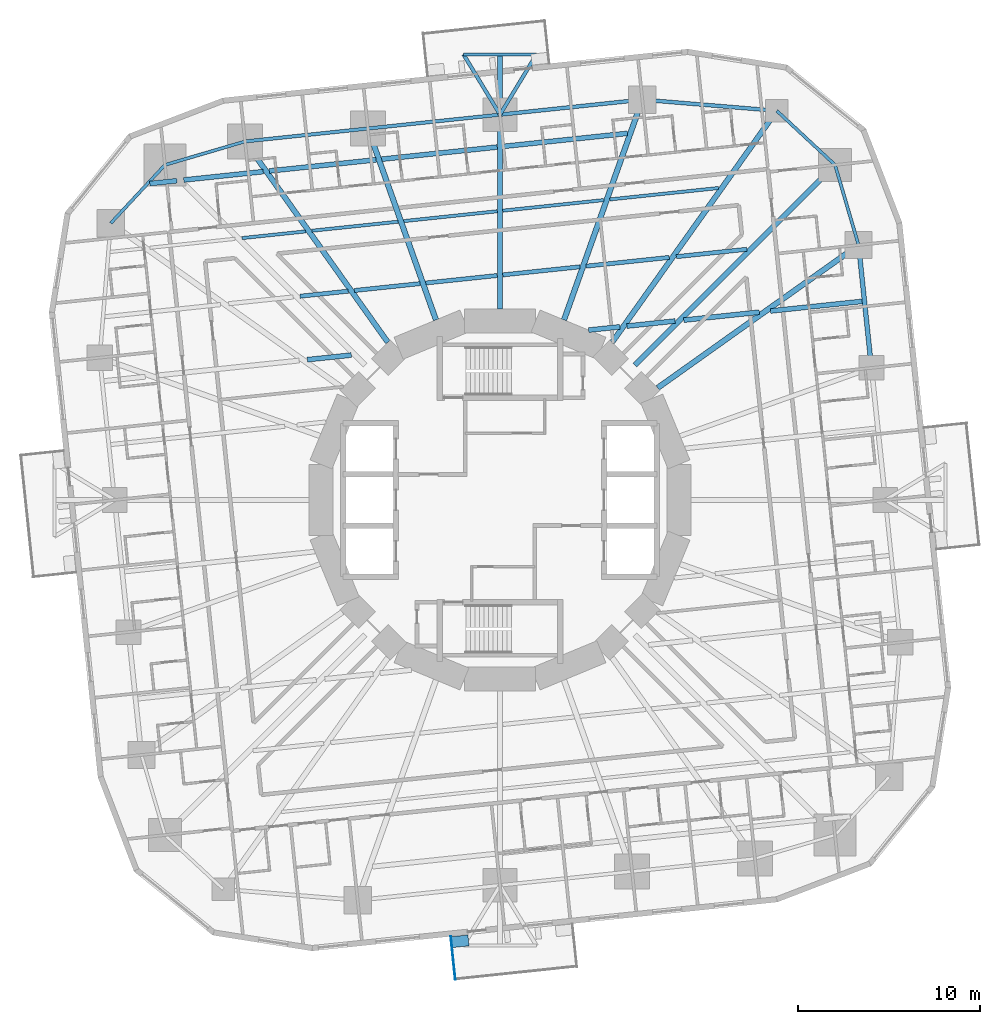
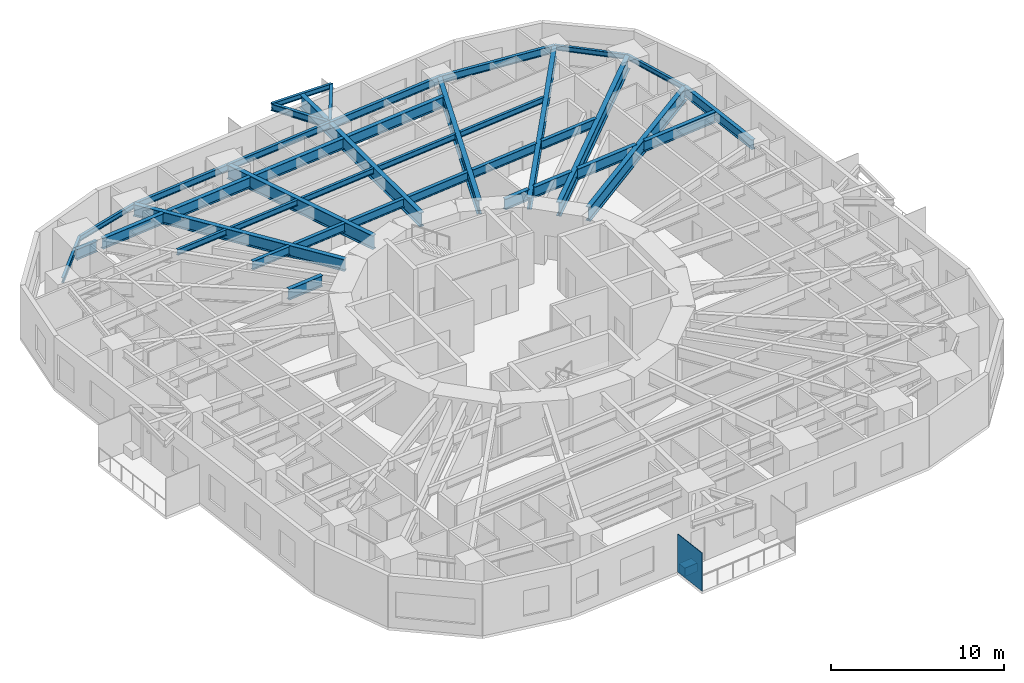
# One storey, part 3 of 15: 40 beams, 2 plates.
"""IFC4 building model written with IfcOpenShell, lengths in metres."""

from ifc_helpers import new_model, si_unit, direction, frame, origin, origin_2d, place, context, subcontext, project, spatial, rectangle, i_section, extrude, material, layer, layer_set, material_profile, profile_set, type_object, element, save


model = new_model("IFC4")

# Units and contexts
model_context = context("Model", 3, precision=1e-05, world=origin(), true_north=direction((0.0, 1.0)))
body_context = subcontext(model_context, "Body", "Model", "MODEL_VIEW")
ifc_project = project(units=[si_unit("LENGTHUNIT", "METRE"), si_unit("AREAUNIT", "SQUARE_METRE"), si_unit("VOLUMEUNIT", "CUBIC_METRE"), si_unit("PLANEANGLEUNIT", "RADIAN"), si_unit("MASSUNIT", "GRAM", prefix="KILO")], contexts=[model_context])

# Site, building, storey
site_placement = place(None, origin())
site = spatial("IfcSite", under=ifc_project, at=site_placement, CompositionType="ELEMENT")
building_placement = place(site_placement, origin())
building = spatial("IfcBuilding", under=site, at=building_placement, Name="Nakasero Lantern House", CompositionType="ELEMENT")
storey_placement = place(building_placement, frame((0.0, 0.0, 64.35009765625)))
storey = spatial("IfcBuildingStorey", under=building, at=storey_placement, Name="L15", CompositionType="ELEMENT", Elevation=64.35009765625)

# Beams
ifc_material_1 = material(Name="Steel S355", Category="steel")
ifc_material_profile_1 = material_profile(ifc_material_1, i_section(OverallWidth=0.199462890625, OverallDepth=0.491943359375, WebThickness=0.01806640625, FlangeThickness=0.031982421875, FilletRadius=0.01025390625, at=origin_2d()), Name="UB 457x191x161")
ifc_profile_set_1 = profile_set([ifc_material_profile_1], Name="Steel S355")
beam_type_1 = type_object("IfcBeamType", Name="Balcony splay beam UB 457x191x161", PredefinedType="BEAM", material=ifc_profile_set_1)
for number, where, z_axis, x_axis, name in (
    (1, (0.0, 21.11572265625, 3.40380859375), (-0.518296107317, 0.855201230787, 0.0), (-0.855201230787, -0.518296107317, 0.0), "Balcony splay beam L16 B2-C09A"),
    (2, (0.0, 21.11572265625, 3.40380859375), (0.518296107317, 0.855201230787, 0.0), (-0.855201230787, 0.518296107317, 0.0), "Balcony splay beam L16 B2-C09B"),
):
    element("IfcBeam", number, at=place(storey_placement, frame(where, z_axis=z_axis, x_axis=x_axis)), inside=storey, type_object=beam_type_1, Name=name, PredefinedType="BEAM", context=body_context, shape_type="SweptSolid", body=[
        extrude(i_section(OverallWidth=0.199462890625, OverallDepth=0.491943359375, WebThickness=0.01806640625, FlangeThickness=0.031982421875, FilletRadius=0.01025390625, at=origin_2d()), origin(), (0.0, 0.0, 1.0), 3.85888671875),
    ])
ifc_material_2 = material(Name="Steel S355", Category="steel")
ifc_material_profile_2 = material_profile(ifc_material_2, i_section(OverallWidth=0.17138671875, OverallDepth=0.35498046875, WebThickness=0.00732421875, FlangeThickness=0.011474609375, FilletRadius=0.01025390625, at=origin_2d()), Name="UB 356x171x51")
ifc_profile_set_2 = profile_set([ifc_material_profile_2], Name="Steel S355")
beam_type_2 = type_object("IfcBeamType", Name="Balcony tie beam UB 356x171x51", PredefinedType="BEAM", material=ifc_profile_set_2)
beam_1_placement = place(storey_placement, frame((-2.0, 24.415771484375, 3.472412109375), z_axis=(1.0, 0.0, 0.0), x_axis=(0.0, 1.0, 0.0)))
element("IfcBeam", 3, at=beam_1_placement, inside=storey, type_object=beam_type_2, Name="Balcony tie beam L16 B2-C09", PredefinedType="BEAM", context=body_context, shape_type="SweptSolid", body=[
    extrude(i_section(OverallWidth=0.17138671875, OverallDepth=0.35498046875, WebThickness=0.00732421875, FlangeThickness=0.011474609375, FilletRadius=0.01025390625, at=origin_2d()), origin(), (0.0, 0.0, 1.0), 4.0),
])
ifc_material_3 = material(Name="Steel S355", Category="steel")
ifc_material_profile_3 = material_profile(ifc_material_3, i_section(OverallWidth=0.177978515625, OverallDepth=0.406494140625, WebThickness=0.0078125, FlangeThickness=0.0126953125, FilletRadius=0.01025390625, at=origin_2d()), Name="UB 406x178x60")
ifc_profile_set_3 = profile_set([ifc_material_profile_3], Name="Steel S355")
beam_type_3 = type_object("IfcBeamType", Name="Infill beam UB 406x178x60", PredefinedType="JOIST", material=ifc_profile_set_3)
beam_2_placement = place(storey_placement, frame((-14.1435546875, 14.35009765625, 3.44677734375), z_axis=(0.994521415391, 0.104533029842, 0.0), x_axis=(-0.104533029842, 0.994521415391, 0.0)))
element("IfcBeam", 4, at=beam_2_placement, inside=storey, type_object=beam_type_3, Name="Infill beam L16 12.3", PredefinedType="JOIST", context=body_context, shape_type="SweptSolid", body=[
    extrude(i_section(OverallWidth=0.177978515625, OverallDepth=0.406494140625, WebThickness=0.0078125, FlangeThickness=0.0126953125, FilletRadius=0.01025390625, at=origin_2d()), origin(), (0.0, 0.0, 1.0), 3.517333984375),
])
beam_3_placement = place(storey_placement, frame((-10.3115234375, 14.7529296875, 3.44677734375), z_axis=(0.994523439889, 0.104513767091, 0.0), x_axis=(-0.104513767091, 0.994523439889, 0.0)))
element("IfcBeam", 5, at=beam_3_placement, inside=storey, type_object=beam_type_3, Name="Infill beam L16 12.4", PredefinedType="JOIST", context=body_context, shape_type="SweptSolid", body=[
    extrude(i_section(OverallWidth=0.177978515625, OverallDepth=0.406494140625, WebThickness=0.0078125, FlangeThickness=0.0126953125, FilletRadius=0.01025390625, at=origin_2d()), origin(), (0.0, 0.0, 1.0), 4.756103515625),
])
beam_4_placement = place(storey_placement, frame((-5.2744140625, 15.282470703125, 3.44677734375), z_axis=(0.994522574566, 0.104522000929, 0.0), x_axis=(-0.104522000929, 0.994522574566, 0.0)))
element("IfcBeam", 6, at=beam_4_placement, inside=storey, type_object=beam_type_3, Name="Infill beam L16 12.5", PredefinedType="JOIST", context=body_context, shape_type="SweptSolid", body=[
    extrude(i_section(OverallWidth=0.177978515625, OverallDepth=0.406494140625, WebThickness=0.0078125, FlangeThickness=0.0126953125, FilletRadius=0.01025390625, at=origin_2d()), origin(), (0.0, 0.0, 1.0), 5.15283203125),
])
beam_5_placement = place(storey_placement, frame((0.14990234375, 15.8525390625, 3.44677734375), z_axis=(0.994524188375, 0.104506644464, 0.0), x_axis=(-0.104506644464, 0.994524188375, 0.0)))
element("IfcBeam", 7, at=beam_5_placement, inside=storey, type_object=beam_type_3, Name="Infill beam L16 12.6", PredefinedType="JOIST", context=body_context, shape_type="SweptSolid", body=[
    extrude(i_section(OverallWidth=0.177978515625, OverallDepth=0.406494140625, WebThickness=0.0078125, FlangeThickness=0.0126953125, FilletRadius=0.01025390625, at=origin_2d()), origin(), (0.0, 0.0, 1.0), 5.564697265625),
])
beam_6_placement = place(storey_placement, frame((6.014892578125, 16.468994140625, 3.44677734375), z_axis=(0.994521729164, 0.104530044579, 0.0), x_axis=(-0.104530044579, 0.994521729164, 0.0)))
element("IfcBeam", 8, at=beam_6_placement, inside=storey, type_object=beam_type_3, Name="Infill beam L16 12.7", PredefinedType="JOIST", context=body_context, shape_type="SweptSolid", body=[
    extrude(i_section(OverallWidth=0.177978515625, OverallDepth=0.406494140625, WebThickness=0.0078125, FlangeThickness=0.0126953125, FilletRadius=0.01025390625, at=origin_2d()), origin(), (0.0, 0.0, 1.0), 5.99560546875),
])
ifc_material_4 = material(Name="Steel S355", Category="steel")
ifc_material_profile_4 = material_profile(ifc_material_4, i_section(OverallWidth=0.22900390625, OverallDepth=0.6123046875, WebThickness=0.011962890625, FlangeThickness=0.01953125, FilletRadius=0.0126953125, at=origin_2d()), Name="UB 610x229x125")
ifc_profile_set_4 = profile_set([ifc_material_profile_4], Name="Steel S355")
beam_type_4 = type_object("IfcBeamType", Name="Infill beam UB 610x229x125", PredefinedType="JOIST", material=ifc_profile_set_4)
beam_7_placement = place(storey_placement, frame((-10.958984375, 11.165771484375, 3.34375), z_axis=(0.994526079282, 0.104488648322, 0.0), x_axis=(-0.104488648322, 0.994526079282, 0.0)))
element("IfcBeam", 9, at=beam_7_placement, inside=storey, type_object=beam_type_4, Name="Infill beam L16 11.3", PredefinedType="JOIST", context=body_context, shape_type="SweptSolid", body=[
    extrude(i_section(OverallWidth=0.22900390625, OverallDepth=0.6123046875, WebThickness=0.011962890625, FlangeThickness=0.01953125, FilletRadius=0.0126953125, at=origin_2d()), origin(), (0.0, 0.0, 1.0), 2.65673828125),
])
beam_8_placement = place(storey_placement, frame((-7.983154296875, 11.478515625, 3.34375), z_axis=(0.994523507044, 0.104513128058, 0.0), x_axis=(-0.104513128058, 0.994523507044, 0.0)))
element("IfcBeam", 10, at=beam_8_placement, inside=storey, type_object=beam_type_4, Name="Infill beam L16 11.4", PredefinedType="JOIST", context=body_context, shape_type="SweptSolid", body=[
    extrude(i_section(OverallWidth=0.22900390625, OverallDepth=0.6123046875, WebThickness=0.011962890625, FlangeThickness=0.01953125, FilletRadius=0.0126953125, at=origin_2d()), origin(), (0.0, 0.0, 1.0), 3.627685546875),
])
beam_9_placement = place(storey_placement, frame((-4.068359375, 11.889892578125, 3.34375), z_axis=(0.994521399206, 0.104533183829, 0.0), x_axis=(-0.104533183829, 0.994521399206, 0.0)))
element("IfcBeam", 11, at=beam_9_placement, inside=storey, type_object=beam_type_4, Name="Infill beam L16 11.5", PredefinedType="JOIST", context=body_context, shape_type="SweptSolid", body=[
    extrude(i_section(OverallWidth=0.22900390625, OverallDepth=0.6123046875, WebThickness=0.011962890625, FlangeThickness=0.01953125, FilletRadius=0.0126953125, at=origin_2d()), origin(), (0.0, 0.0, 1.0), 3.93994140625),
])
beam_10_placement = place(storey_placement, frame((0.14990234375, 12.333251953125, 3.34375), z_axis=(0.994521465317, 0.104532554847, 0.0), x_axis=(-0.104532554847, 0.994521465317, 0.0)))
element("IfcBeam", 12, at=beam_10_placement, inside=storey, type_object=beam_type_4, Name="Infill beam L16 11.6", PredefinedType="JOIST", context=body_context, shape_type="SweptSolid", body=[
    extrude(i_section(OverallWidth=0.22900390625, OverallDepth=0.6123046875, WebThickness=0.011962890625, FlangeThickness=0.01953125, FilletRadius=0.0126953125, at=origin_2d()), origin(), (0.0, 0.0, 1.0), 4.2578125),
])
beam_11_placement = place(storey_placement, frame((4.71484375, 12.81298828125, 3.34375), z_axis=(0.994522952874, 0.104518401282, 0.0), x_axis=(-0.104518401282, 0.994522952874, 0.0)))
element("IfcBeam", 13, at=beam_11_placement, inside=storey, type_object=beam_type_4, Name="Infill beam L16 11.7", PredefinedType="JOIST", context=body_context, shape_type="SweptSolid", body=[
    extrude(i_section(OverallWidth=0.22900390625, OverallDepth=0.6123046875, WebThickness=0.011962890625, FlangeThickness=0.01953125, FilletRadius=0.0126953125, at=origin_2d()), origin(), (0.0, 0.0, 1.0), 4.5830078125),
])
beam_12_placement = place(storey_placement, frame((9.66064453125, 13.332763671875, 3.34375), z_axis=(0.99451886442, 0.10455729679, 0.0), x_axis=(-0.10455729679, 0.99451886442, 0.0)))
element("IfcBeam", 14, at=beam_12_placement, inside=storey, type_object=beam_type_4, Name="Infill beam L16 11.8", PredefinedType="JOIST", context=body_context, shape_type="SweptSolid", body=[
    extrude(i_section(OverallWidth=0.22900390625, OverallDepth=0.6123046875, WebThickness=0.011962890625, FlangeThickness=0.01953125, FilletRadius=0.0126953125, at=origin_2d()), origin(), (0.0, 0.0, 1.0), 3.8876953125),
])
ifc_material_5 = material(Name="Steel S355", Category="steel")
ifc_material_profile_5 = material_profile(ifc_material_5, i_section(OverallWidth=0.2666015625, OverallDepth=0.76220703125, WebThickness=0.014404296875, FlangeThickness=0.021484375, FilletRadius=0.0166015625, at=origin_2d()), Name="UB 762x267x173")
ifc_profile_set_5 = profile_set([ifc_material_profile_5], Name="Steel S355")
beam_type_5 = type_object("IfcBeamType", Name="Infill beam UB 762x267x173", PredefinedType="JOIST", material=ifc_profile_set_5)
beam_13_placement = place(storey_placement, frame((-10.5537109375, 7.68896484375, 3.268798828125), z_axis=(0.99452700398, 0.104479846642, 0.0), x_axis=(-0.104479846642, 0.99452700398, 0.0)))
element("IfcBeam", 15, at=beam_13_placement, inside=storey, type_object=beam_type_5, Name="Infill beam L16 10.3", PredefinedType="JOIST", context=body_context, shape_type="SweptSolid", body=[
    extrude(i_section(OverallWidth=0.2666015625, OverallDepth=0.76220703125, WebThickness=0.014404296875, FlangeThickness=0.021484375, FilletRadius=0.0166015625, at=origin_2d()), origin(), (0.0, 0.0, 1.0), 2.41845703125),
])
beam_14_placement = place(storey_placement, frame((4.85498046875, 9.30859375, 3.268798828125), z_axis=(0.994529501552, 0.104456069922, 0.0), x_axis=(-0.104456069922, 0.994529501552, 0.0)))
element("IfcBeam", 16, at=beam_14_placement, inside=storey, type_object=beam_type_5, Name="Infill beam L16 10.4", PredefinedType="JOIST", context=body_context, shape_type="SweptSolid", body=[
    extrude(i_section(OverallWidth=0.2666015625, OverallDepth=0.76220703125, WebThickness=0.014404296875, FlangeThickness=0.021484375, FilletRadius=0.0166015625, at=origin_2d()), origin(), (0.0, 0.0, 1.0), 1.72265625),
])
beam_15_placement = place(storey_placement, frame((6.955810546875, 9.529296875, 3.268798828125), z_axis=(0.994521575627, 0.104531505358, 0.0), x_axis=(-0.104531505358, 0.994521575627, 0.0)))
element("IfcBeam", 17, at=beam_15_placement, inside=storey, type_object=beam_type_5, Name="Infill beam L16 10.5", PredefinedType="JOIST", context=body_context, shape_type="SweptSolid", body=[
    extrude(i_section(OverallWidth=0.2666015625, OverallDepth=0.76220703125, WebThickness=0.014404296875, FlangeThickness=0.021484375, FilletRadius=0.0166015625, at=origin_2d()), origin(), (0.0, 0.0, 1.0), 2.6533203125),
])
beam_16_placement = place(storey_placement, frame((10.068603515625, 9.8564453125, 3.268798828125), z_axis=(0.994522134672, 0.104526186418, 0.0), x_axis=(-0.104526186418, 0.994522134672, 0.0)))
element("IfcBeam", 18, at=beam_16_placement, inside=storey, type_object=beam_type_5, Name="Infill beam L16 10.6", PredefinedType="JOIST", context=body_context, shape_type="SweptSolid", body=[
    extrude(i_section(OverallWidth=0.2666015625, OverallDepth=0.76220703125, WebThickness=0.014404296875, FlangeThickness=0.021484375, FilletRadius=0.0166015625, at=origin_2d()), origin(), (0.0, 0.0, 1.0), 4.166748046875),
])
beam_17_placement = place(storey_placement, frame((14.823974609375, 10.356201171875, 3.268798828125), z_axis=(0.994520551882, 0.104541244898, 0.0), x_axis=(-0.104541244898, 0.994520551882, 0.0)))
element("IfcBeam", 19, at=beam_17_placement, inside=storey, type_object=beam_type_5, Name="Infill beam L16 10.7", PredefinedType="JOIST", context=body_context, shape_type="SweptSolid", body=[
    extrude(i_section(OverallWidth=0.2666015625, OverallDepth=0.76220703125, WebThickness=0.014404296875, FlangeThickness=0.021484375, FilletRadius=0.0166015625, at=origin_2d()), origin(), (0.0, 0.0, 1.0), 5.046630859375),
])
beam_18_placement = place(storey_placement, frame((-19.190673828125, 17.339111328125, 3.268798828125), z_axis=(0.994535800288, 0.104396082038, 0.0), x_axis=(-0.104396082038, 0.994535800288, 0.0)))
element("IfcBeam", 20, at=beam_18_placement, inside=storey, type_object=beam_type_5, Name="Infill beam L16 13.1", PredefinedType="JOIST", context=body_context, shape_type="SweptSolid", body=[
    extrude(i_section(OverallWidth=0.2666015625, OverallDepth=0.76220703125, WebThickness=0.014404296875, FlangeThickness=0.021484375, FilletRadius=0.0166015625, at=origin_2d()), origin(), (0.0, 0.0, 1.0), 1.49658203125),
])
beam_19_placement = place(storey_placement, frame((-17.328125, 17.53466796875, 3.268798828125), z_axis=(0.994518584312, 0.104559961062, 0.0), x_axis=(-0.104559961062, 0.994518584312, 0.0)))
element("IfcBeam", 21, at=beam_19_placement, inside=storey, type_object=beam_type_5, Name="Infill beam L16 13.2", PredefinedType="JOIST", context=body_context, shape_type="SweptSolid", body=[
    extrude(i_section(OverallWidth=0.2666015625, OverallDepth=0.76220703125, WebThickness=0.014404296875, FlangeThickness=0.021484375, FilletRadius=0.0166015625, at=origin_2d()), origin(), (0.0, 0.0, 1.0), 4.3779296875),
])
beam_20_placement = place(storey_placement, frame((-12.64013671875, 18.027587890625, 3.268798828125), z_axis=(0.994524304789, 0.104505536616, 0.0), x_axis=(-0.104505536616, 0.994524304789, 0.0)))
element("IfcBeam", 22, at=beam_20_placement, inside=storey, type_object=beam_type_5, Name="Infill beam L16 13.3", PredefinedType="JOIST", context=body_context, shape_type="SweptSolid", body=[
    extrude(i_section(OverallWidth=0.2666015625, OverallDepth=0.76220703125, WebThickness=0.014404296875, FlangeThickness=0.021484375, FilletRadius=0.0166015625, at=origin_2d()), origin(), (0.0, 0.0, 1.0), 5.884765625),
])
beam_21_placement = place(storey_placement, frame((-6.480712890625, 18.6748046875, 3.268798828125), z_axis=(0.994519733917, 0.104549026056, 0.0), x_axis=(-0.104549026056, 0.994519733917, 0.0)))
element("IfcBeam", 23, at=beam_21_placement, inside=storey, type_object=beam_type_5, Name="Infill beam L16 13.4", PredefinedType="JOIST", context=body_context, shape_type="SweptSolid", body=[
    extrude(i_section(OverallWidth=0.2666015625, OverallDepth=0.76220703125, WebThickness=0.014404296875, FlangeThickness=0.021484375, FilletRadius=0.0166015625, at=origin_2d()), origin(), (0.0, 0.0, 1.0), 6.36572265625),
])
beam_22_placement = place(storey_placement, frame((0.14990234375, 19.371826171875, 3.268798828125), z_axis=(0.994522182542, 0.10452573096, 0.0), x_axis=(-0.10452573096, 0.994522182542, 0.0)))
element("IfcBeam", 24, at=beam_22_placement, inside=storey, type_object=beam_type_5, Name="Infill beam L16 13.5", PredefinedType="JOIST", context=body_context, shape_type="SweptSolid", body=[
    extrude(i_section(OverallWidth=0.2666015625, OverallDepth=0.76220703125, WebThickness=0.014404296875, FlangeThickness=0.021484375, FilletRadius=0.0166015625, at=origin_2d()), origin(), (0.0, 0.0, 1.0), 6.87158203125),
])
ifc_material_6 = material(Name="Steel S355", Category="steel")
ifc_material_profile_6 = material_profile(ifc_material_6, i_section(OverallWidth=0.300048828125, OverallDepth=0.97998046875, WebThickness=0.0166015625, FlangeThickness=0.02587890625, FilletRadius=0.030029296875, at=origin_2d()), Name="UB 1016x305x249")
ifc_profile_set_6 = profile_set([ifc_material_profile_6], Name="Steel S355")
beam_type_6 = type_object("IfcBeamType", Name="Primary beam UB 1016x305x249, span 12 to 15 m", PredefinedType="BEAM", material=ifc_profile_set_6)
beam_23_placement = place(storey_placement, frame((7.79931640625, 21.935302734375, 3.159912109375), z_axis=(-0.335017564047, -0.942211882636, 0.0), x_axis=(0.942211882636, -0.335017564047, 0.0)))
element("IfcBeam", 25, at=beam_23_placement, inside=storey, type_object=beam_type_6, Name="Primary beam L16 B2-C08", PredefinedType="BEAM", context=body_context, shape_type="SweptSolid", body=[
    extrude(i_section(OverallWidth=0.300048828125, OverallDepth=0.97998046875, WebThickness=0.0166015625, FlangeThickness=0.02587890625, FilletRadius=0.030029296875, at=origin_2d()), origin(), (0.0, 0.0, 1.0), 12.80908203125),
])
ifc_material_7 = material(Name="Steel S355", Category="steel")
ifc_material_profile_7 = material_profile(ifc_material_7, i_section(OverallWidth=0.300048828125, OverallDepth=0.97998046875, WebThickness=0.0166015625, FlangeThickness=0.02587890625, FilletRadius=0.030029296875, at=origin_2d()), Name="UB 1016x305x249")
ifc_profile_set_7 = profile_set([ifc_material_profile_7], Name="Steel S355")
beam_type_7 = type_object("IfcBeamType", Name="Primary beam UB 1016x305x249, span 9 to 12 m", PredefinedType="BEAM", material=ifc_profile_set_7)
beam_24_placement = place(storey_placement, frame((-7.2373046875, 20.35498046875, 3.159912109375), z_axis=(0.335009234979, -0.942214844119, 0.0), x_axis=(0.942214844119, 0.335009234979, 0.0)))
element("IfcBeam", 26, at=beam_24_placement, inside=storey, type_object=beam_type_7, Name="Primary beam L16 B2-C10", PredefinedType="BEAM", context=body_context, shape_type="SweptSolid", body=[
    extrude(i_section(OverallWidth=0.300048828125, OverallDepth=0.97998046875, WebThickness=0.0166015625, FlangeThickness=0.02587890625, FilletRadius=0.030029296875, at=origin_2d()), origin(), (0.0, 0.0, 1.0), 11.1318359375),
])
ifc_material_8 = material(Name="Steel S355", Category="steel")
ifc_material_profile_8 = material_profile(ifc_material_8, i_section(OverallWidth=0.300048828125, OverallDepth=0.989990234375, WebThickness=0.0166015625, FlangeThickness=0.031005859375, FilletRadius=0.030029296875, at=origin_2d()), Name="UB 1016x305x272")
ifc_profile_set_8 = profile_set([ifc_material_profile_8], Name="Steel S355")
beam_type_8 = type_object("IfcBeamType", Name="Primary beam UB 1016x305x272, span 9 to 12 m", PredefinedType="BEAM", material=ifc_profile_set_8)
beam_25_placement = place(storey_placement, frame((0.0, 24.415771484375, 3.15478515625), z_axis=(0.0, -1.0, 0.0), x_axis=(1.0, 0.0, 0.0)))
element("IfcBeam", 27, at=beam_25_placement, inside=storey, type_object=beam_type_8, Name="Primary beam L16 B2-C09", PredefinedType="BEAM", context=body_context, shape_type="SweptSolid", body=[
    extrude(i_section(OverallWidth=0.300048828125, OverallDepth=0.989990234375, WebThickness=0.0166015625, FlangeThickness=0.031005859375, FilletRadius=0.030029296875, at=origin_2d()), origin(), (0.0, 0.0, 1.0), 13.9580078125),
])
ifc_material_9 = material(Name="Steel S355", Category="steel")
ifc_material_profile_9 = material_profile(ifc_material_9, i_section(OverallWidth=0.300048828125, OverallDepth=0.989990234375, WebThickness=0.0166015625, FlangeThickness=0.031005859375, FilletRadius=0.030029296875, at=origin_2d()), Name="UB 1016x305x272")
ifc_profile_set_9 = profile_set([ifc_material_profile_9], Name="Steel S355")
beam_type_9 = type_object("IfcBeamType", Name="Primary beam UB 1016x305x272, span over 15 m", PredefinedType="BEAM", material=ifc_profile_set_9)
beam_26_placement = place(storey_placement, frame((18.359375, 18.359375, 3.15478515625), z_axis=(-0.707106781187, -0.707106781187, 0.0), x_axis=(0.707106781187, -0.707106781187, 0.0)))
element("IfcBeam", 28, at=beam_26_placement, inside=storey, type_object=beam_type_9, Name="Primary beam L16 B2-C06", PredefinedType="BEAM", context=body_context, shape_type="SweptSolid", body=[
    extrude(i_section(OverallWidth=0.300048828125, OverallDepth=0.989990234375, WebThickness=0.0166015625, FlangeThickness=0.031005859375, FilletRadius=0.030029296875, at=origin_2d()), origin(), (0.0, 0.0, 1.0), 15.50634765625),
])
ifc_material_10 = material(Name="Steel S355", Category="steel")
ifc_material_profile_10 = material_profile(ifc_material_10, i_section(OverallWidth=0.302001953125, OverallDepth=1.008056640625, WebThickness=0.02099609375, FlangeThickness=0.0400390625, FilletRadius=0.030029296875, at=origin_2d()), Name="UB 1016x305x349")
ifc_profile_set_10 = profile_set([ifc_material_profile_10], Name="Steel S355")
beam_type_10 = type_object("IfcBeamType", Name="Primary beam UB 1016x305x349, span 12 to 15 m", PredefinedType="BEAM", material=ifc_profile_set_10)
beam_27_placement = place(storey_placement, frame((19.647216796875, 13.971435546875, 3.145751953125), z_axis=(-0.814948492976, -0.579533393168, 0.0), x_axis=(0.579533393168, -0.814948492976, 0.0)))
element("IfcBeam", 29, at=beam_27_placement, inside=storey, type_object=beam_type_10, Name="Primary beam L16 B2-C05", PredefinedType="BEAM", context=body_context, shape_type="SweptSolid", body=[
    extrude(i_section(OverallWidth=0.302001953125, OverallDepth=1.008056640625, WebThickness=0.02099609375, FlangeThickness=0.0400390625, FilletRadius=0.030029296875, at=origin_2d()), origin(), (0.0, 0.0, 1.0), 13.502685546875),
])
ifc_material_11 = material(Name="Steel S355", Category="steel")
ifc_material_profile_11 = material_profile(ifc_material_11, i_section(OverallWidth=0.29248046875, OverallDepth=0.8408203125, WebThickness=0.0146484375, FlangeThickness=0.02685546875, FilletRadius=0.017822265625, at=origin_2d()), Name="UB 838x292x194")
ifc_profile_set_11 = profile_set([ifc_material_profile_11], Name="Steel S355")
beam_type_11 = type_object("IfcBeamType", Name="Primary beam UB 838x292x194, span 12 to 15 m", PredefinedType="BEAM", material=ifc_profile_set_11)
beam_28_placement = place(storey_placement, frame((-13.971435546875, 19.647216796875, 3.2294921875), z_axis=(0.579533393168, -0.814948492976, 0.0), x_axis=(0.814948492976, 0.579533393168, 0.0)))
element("IfcBeam", 30, at=beam_28_placement, inside=storey, type_object=beam_type_11, Name="Primary beam L16 B2-C11", PredefinedType="BEAM", context=body_context, shape_type="SweptSolid", body=[
    extrude(i_section(OverallWidth=0.29248046875, OverallDepth=0.8408203125, WebThickness=0.0146484375, FlangeThickness=0.02685546875, FilletRadius=0.017822265625, at=origin_2d()), origin(), (0.0, 0.0, 1.0), 13.502685546875),
])
ifc_material_12 = material(Name="Steel S355", Category="steel")
ifc_material_profile_12 = material_profile(ifc_material_12, i_section(OverallWidth=0.29248046875, OverallDepth=0.8408203125, WebThickness=0.0146484375, FlangeThickness=0.02685546875, FilletRadius=0.017822265625, at=origin_2d()), Name="UB 838x292x194")
ifc_profile_set_12 = profile_set([ifc_material_profile_12], Name="Steel S355")
beam_type_12 = type_object("IfcBeamType", Name="Primary beam UB 838x292x194, span over 15 m", PredefinedType="BEAM", material=ifc_profile_set_12)
beam_29_placement = place(storey_placement, frame((15.16650390625, 21.327880859375, 3.2294921875), z_axis=(-0.57952911085, -0.814951538239, 0.0), x_axis=(0.814951538239, -0.57952911085, 0.0)))
element("IfcBeam", 31, at=beam_29_placement, inside=storey, type_object=beam_type_12, Name="Primary beam L16 B2-C07", PredefinedType="BEAM", context=body_context, shape_type="SweptSolid", body=[
    extrude(i_section(OverallWidth=0.29248046875, OverallDepth=0.8408203125, WebThickness=0.0146484375, FlangeThickness=0.02685546875, FilletRadius=0.017822265625, at=origin_2d()), origin(), (0.0, 0.0, 1.0), 15.564697265625),
])
ifc_material_13 = material(Name="Steel S355", Category="steel")
ifc_material_profile_13 = material_profile(ifc_material_13, i_section(OverallWidth=0.17138671875, OverallDepth=0.35498046875, WebThickness=0.00732421875, FlangeThickness=0.011474609375, FilletRadius=0.01025390625, at=origin_2d()), Name="UB 356x171x51")
ifc_profile_set_13 = profile_set([ifc_material_profile_13], Name="Steel S355")
beam_type_13 = type_object("IfcBeamType", Name="Ring beam UB 356x171x51", PredefinedType="BEAM", material=ifc_profile_set_13)
beam_30_placement = place(storey_placement, frame((19.647216796875, 13.971435546875, 3.472412109375), z_axis=(-0.28161710443, 0.959526865957, 0.0), x_axis=(-0.959526865957, -0.28161710443, 0.0)))
element("IfcBeam", 32, at=beam_30_placement, inside=storey, type_object=beam_type_13, Name="Ring beam L16 B2-C05", PredefinedType="BEAM", context=body_context, shape_type="SweptSolid", body=[
    extrude(i_section(OverallWidth=0.17138671875, OverallDepth=0.35498046875, WebThickness=0.00732421875, FlangeThickness=0.011474609375, FilletRadius=0.01025390625, at=origin_2d()), origin(), (0.0, 0.0, 1.0), 4.572998046875),
])
beam_31_placement = place(storey_placement, frame((18.359375, 18.359375, 3.472412109375), z_axis=(-0.732370510336, 0.680906333933, 0.0), x_axis=(-0.680906333933, -0.732370510336, 0.0)))
element("IfcBeam", 33, at=beam_31_placement, inside=storey, type_object=beam_type_13, Name="Ring beam L16 B2-C06", PredefinedType="BEAM", context=body_context, shape_type="SweptSolid", body=[
    extrude(i_section(OverallWidth=0.17138671875, OverallDepth=0.35498046875, WebThickness=0.00732421875, FlangeThickness=0.011474609375, FilletRadius=0.01025390625, at=origin_2d()), origin(), (0.0, 0.0, 1.0), 4.359619140625),
])
beam_32_placement = place(storey_placement, frame((-13.971435546875, 19.647216796875, 3.472412109375), z_axis=(-0.959526865957, -0.28161710443, 0.0), x_axis=(0.28161710443, -0.959526865957, 0.0)))
element("IfcBeam", 34, at=beam_32_placement, inside=storey, type_object=beam_type_13, Name="Ring beam L16 B2-C11", PredefinedType="BEAM", context=body_context, shape_type="SweptSolid", body=[
    extrude(i_section(OverallWidth=0.17138671875, OverallDepth=0.35498046875, WebThickness=0.00732421875, FlangeThickness=0.011474609375, FilletRadius=0.01025390625, at=origin_2d()), origin(), (0.0, 0.0, 1.0), 4.572998046875),
])
beam_33_placement = place(storey_placement, frame((-18.359375, 18.359375, 3.472412109375), z_axis=(-0.680906333933, -0.732370510336, 0.0), x_axis=(0.732370510336, -0.680906333933, 0.0)))
element("IfcBeam", 35, at=beam_33_placement, inside=storey, type_object=beam_type_13, Name="Ring beam L16 B2-C12", PredefinedType="BEAM", context=body_context, shape_type="SweptSolid", body=[
    extrude(i_section(OverallWidth=0.17138671875, OverallDepth=0.35498046875, WebThickness=0.00732421875, FlangeThickness=0.011474609375, FilletRadius=0.01025390625, at=origin_2d()), origin(), (0.0, 0.0, 1.0), 4.359619140625),
])
ifc_material_14 = material(Name="Steel S355", Category="steel")
ifc_material_profile_14 = material_profile(ifc_material_14, i_section(OverallWidth=0.18994140625, OverallDepth=0.453369140625, WebThickness=0.008544921875, FlangeThickness=0.0126953125, FilletRadius=0.01025390625, at=origin_2d()), Name="UB 457x191x67")
ifc_profile_set_14 = profile_set([ifc_material_profile_14], Name="Steel S355")
beam_type_14 = type_object("IfcBeamType", Name="Ring beam UB 457x191x67", PredefinedType="BEAM", material=ifc_profile_set_14)
beam_34_placement = place(storey_placement, frame((-7.2373046875, 20.35498046875, 3.423095703125), z_axis=(-0.994522233155, -0.10452524939, 0.0), x_axis=(0.10452524939, -0.994522233155, 0.0)))
element("IfcBeam", 36, at=beam_34_placement, inside=storey, type_object=beam_type_14, Name="Ring beam L16 B2-C10", PredefinedType="BEAM", context=body_context, shape_type="SweptSolid", body=[
    extrude(i_section(OverallWidth=0.18994140625, OverallDepth=0.453369140625, WebThickness=0.008544921875, FlangeThickness=0.0126953125, FilletRadius=0.01025390625, at=origin_2d()), origin(), (0.0, 0.0, 1.0), 6.771240234375),
])
ifc_material_15 = material(Name="Steel S355", Category="steel")
ifc_material_profile_15 = material_profile(ifc_material_15, i_section(OverallWidth=0.19140625, OverallDepth=0.4599609375, WebThickness=0.010009765625, FlangeThickness=0.01611328125, FilletRadius=0.01025390625, at=origin_2d()), Name="UB 457x191x82")
ifc_profile_set_15 = profile_set([ifc_material_profile_15], Name="Steel S355")
beam_type_15 = type_object("IfcBeamType", Name="Ring beam UB 457x191x82", PredefinedType="BEAM", material=ifc_profile_set_15)
beam_35_placement = place(storey_placement, frame((0.0, 21.11572265625, 3.419921875), z_axis=(-0.994520883746, -0.104538087767, 0.0), x_axis=(0.104538087767, -0.994520883746, 0.0)))
element("IfcBeam", 37, at=beam_35_placement, inside=storey, type_object=beam_type_15, Name="Ring beam L16 B2-C09", PredefinedType="BEAM", context=body_context, shape_type="SweptSolid", body=[
    extrude(i_section(OverallWidth=0.19140625, OverallDepth=0.4599609375, WebThickness=0.010009765625, FlangeThickness=0.01611328125, FilletRadius=0.01025390625, at=origin_2d()), origin(), (0.0, 0.0, 1.0), 7.277099609375),
])
ifc_material_16 = material(Name="Steel S355", Category="steel")
ifc_material_profile_16 = material_profile(ifc_material_16, i_section(OverallWidth=0.208740234375, OverallDepth=0.5283203125, WebThickness=0.009521484375, FlangeThickness=0.01318359375, FilletRadius=0.0126953125, at=origin_2d()), Name="UB 533x210x82")
ifc_profile_set_16 = profile_set([ifc_material_profile_16], Name="Steel S355")
beam_type_16 = type_object("IfcBeamType", Name="Ring beam UB 533x210x82", PredefinedType="BEAM", material=ifc_profile_set_16)
beam_36_placement = place(storey_placement, frame((15.16650390625, 21.327880859375, 3.3857421875), z_axis=(-0.996618261264, 0.08217080574, 0.0), x_axis=(-0.08217080574, -0.996618261264, 0.0)))
element("IfcBeam", 38, at=beam_36_placement, inside=storey, type_object=beam_type_16, Name="Ring beam L16 B2-C07", PredefinedType="BEAM", context=body_context, shape_type="SweptSolid", body=[
    extrude(i_section(OverallWidth=0.208740234375, OverallDepth=0.5283203125, WebThickness=0.009521484375, FlangeThickness=0.01318359375, FilletRadius=0.0126953125, at=origin_2d()), origin(), (0.0, 0.0, 1.0), 7.39208984375),
])
beam_37_placement = place(storey_placement, frame((7.79931640625, 21.935302734375, 3.3857421875), z_axis=(-0.994524030789, -0.104508144098, 0.0), x_axis=(0.104508144098, -0.994524030789, 0.0)))
element("IfcBeam", 39, at=beam_37_placement, inside=storey, type_object=beam_type_16, Name="Ring beam L16 B2-C08", PredefinedType="BEAM", context=body_context, shape_type="SweptSolid", body=[
    extrude(i_section(OverallWidth=0.208740234375, OverallDepth=0.5283203125, WebThickness=0.009521484375, FlangeThickness=0.01318359375, FilletRadius=0.0126953125, at=origin_2d()), origin(), (0.0, 0.0, 1.0), 7.84228515625),
])
ifc_material_17 = material(Name="Steel S355", Category="steel")
ifc_material_profile_17 = material_profile(ifc_material_17, i_section(OverallWidth=0.255859375, OverallDepth=0.69287109375, WebThickness=0.014404296875, FlangeThickness=0.023681640625, FilletRadius=0.01513671875, at=origin_2d()), Name="UB 686x254x170")
ifc_profile_set_17 = profile_set([ifc_material_profile_17], Name="Steel S355")
beam_type_17 = type_object("IfcBeamType", Name="Ring beam UB 686x254x170", PredefinedType="BEAM", material=ifc_profile_set_17)
beam_38_placement = place(storey_placement, frame((20.35498046875, 7.2373046875, 3.303466796875), z_axis=(-0.10452524939, 0.994522233155, 0.0), x_axis=(-0.994522233155, -0.10452524939, 0.0)))
element("IfcBeam", 40, at=beam_38_placement, inside=storey, type_object=beam_type_17, Name="Ring beam L16 B2-C04", PredefinedType="BEAM", context=body_context, shape_type="SweptSolid", body=[
    extrude(i_section(OverallWidth=0.255859375, OverallDepth=0.69287109375, WebThickness=0.014404296875, FlangeThickness=0.023681640625, FilletRadius=0.01513671875, at=origin_2d()), origin(), (0.0, 0.0, 1.0), 6.771240234375),
])

# Plates
ifc_material_18 = material(Name="Aluminium 6063-T6", Category="aluminium")
ifc_layer_1 = layer(ifc_material_18, 0.60009765625)
ifc_layer_set_1 = layer_set([ifc_layer_1], Name="Balcony planter 600x900")
plate_type_1 = type_object("IfcPlateType", Name="Balcony planter 600x900", PredefinedType="USERDEFINED", material=ifc_layer_set_1)
plate_1_placement = place(storey_placement, frame((-2.174560546875, -24.1796875, -0.000244140625), z_axis=(0.0, 0.0, 1.0), x_axis=(0.104528463268, -0.994521895368, 0.0)))
element("IfcPlate", 41, at=plate_1_placement, inside=storey, type_object=plate_type_1, Name="Balcony PLANTER L15 BAL3A", ObjectType="PLANTER", PredefinedType="USERDEFINED", context=body_context, shape_type="SweptSolid", body=[
    extrude(rectangle(XDim=0.60009765625, YDim=0.89990234375, at=origin_2d()), origin(), (0.0, 0.0, 1.0), 0.60009765625),
])
ifc_material_19 = material(Name="Aluminium 6063-T6", Category="aluminium")
ifc_layer_2 = layer(ifc_material_19, 0.0400390625)
ifc_layer_set_2 = layer_set([ifc_layer_2], Name="Balcony screen 2400x2700")
plate_type_2 = type_object("IfcPlateType", Name="Balcony screen 2400x2700", PredefinedType="SHEET", material=ifc_layer_set_2)
plate_2_placement = place(storey_placement, frame((-2.56982421875, -25.106201171875, 0.0), z_axis=(0.0, 0.0, 1.0), x_axis=(0.104528463268, -0.994521895368, 0.0)))
element("IfcPlate", 42, at=plate_2_placement, inside=storey, type_object=plate_type_2, Name="Balcony SCREEN L15 BAL3A", PredefinedType="SHEET", context=body_context, shape_type="SweptSolid", body=[
    extrude(rectangle(XDim=2.39990234375, YDim=0.0400390625, at=origin_2d()), origin(), (0.0, 0.0, 1.0), 2.699951171875),
])

save(model, "model.ifc")
